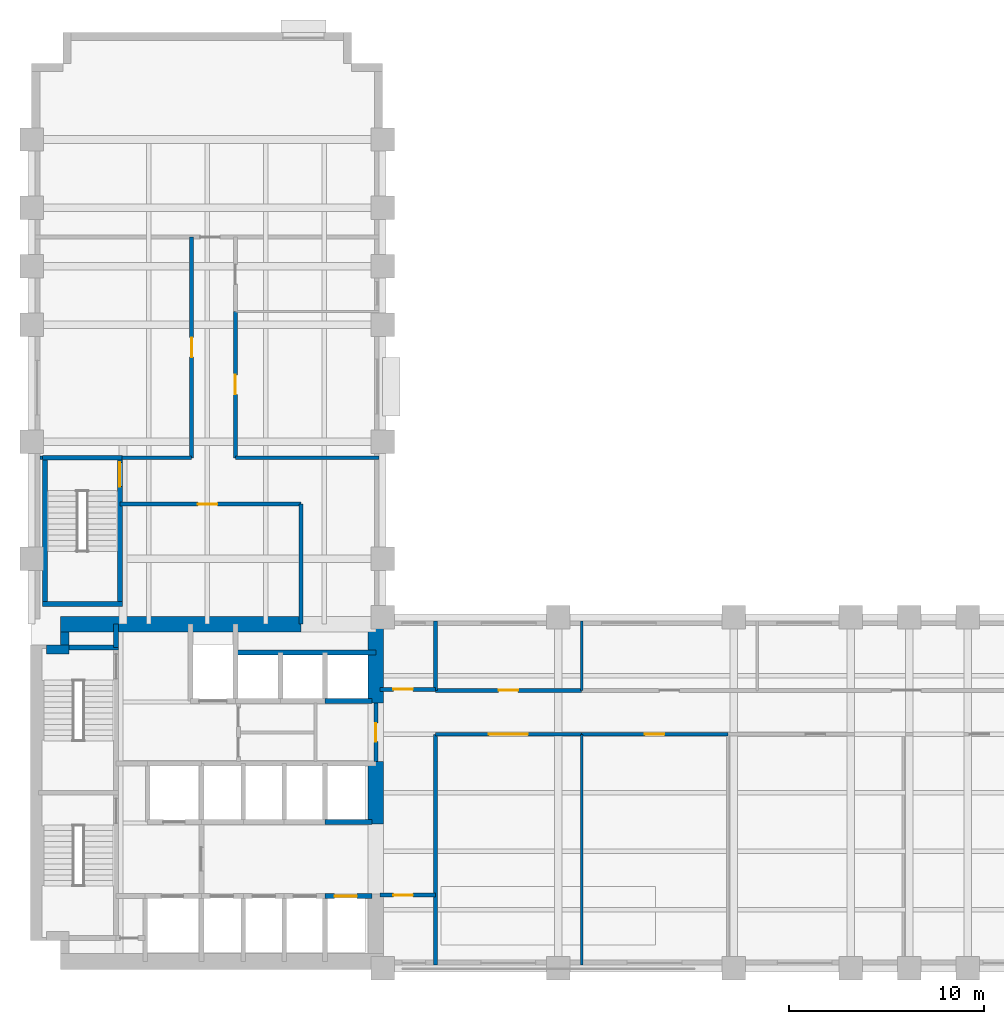
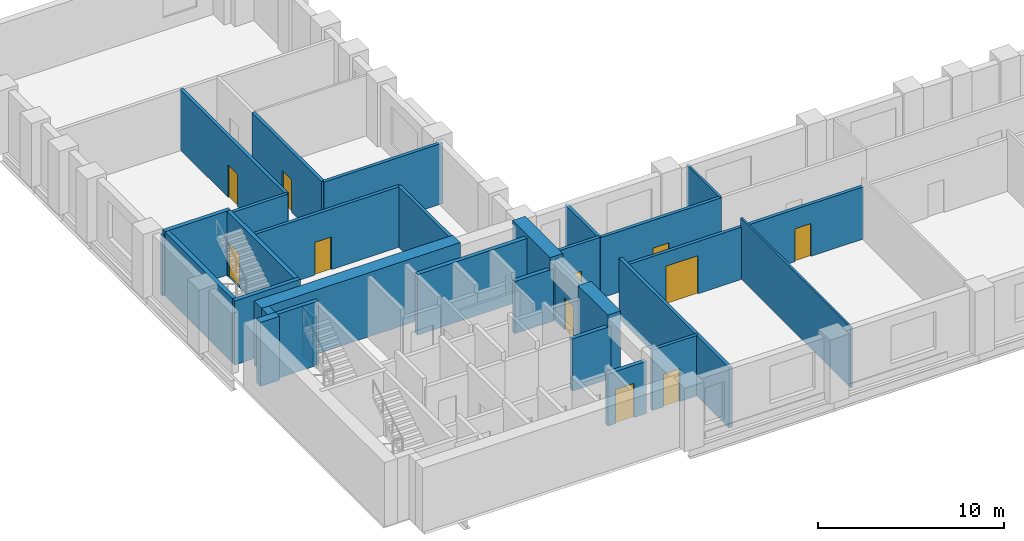
# One storey, part 4 of 8: 32 walls, 11 doors, 11 openings.
"""IFC4 building model written with IfcOpenShell, lengths in metres."""

from ifc_helpers import new_model, si_unit, direction, frame, frame_2d, origin, place, context, subcontext, project, spatial, rectangle, extrude, material, layer, layer_set, type_object, element, fill, save


model = new_model("IFC4")

# Units and contexts
model_context = context("Model", 3, precision=1e-05, world=origin(), true_north=direction((0.0, 1.0)))
body_context = subcontext(model_context, "Body", "Model", "MODEL_VIEW")
ifc_project = project(units=[si_unit("LENGTHUNIT", "METRE"), si_unit("AREAUNIT", "SQUARE_METRE"), si_unit("VOLUMEUNIT", "CUBIC_METRE"), si_unit("PLANEANGLEUNIT", "RADIAN"), si_unit("MASSUNIT", "GRAM", prefix="KILO")], contexts=[model_context])

# Site, building, storey
site_placement = place(None, origin())
site = spatial("IfcSite", under=ifc_project, at=site_placement, CompositionType="ELEMENT")
building_placement = place(site_placement, origin())
building = spatial("IfcBuilding", under=site, at=building_placement, Name="Mawjdan Bourse Tower", CompositionType="ELEMENT")
storey_placement = place(building_placement, frame((0.0, 0.0, 63.60009765625)))
storey = spatial("IfcBuildingStorey", under=building, at=storey_placement, Name="L14", CompositionType="ELEMENT", Elevation=63.60009765625)

# Wall, opening, door
ifc_material_1 = material(Name="Gypsum Fireboard Assembly")
ifc_layer_1 = layer(ifc_material_1, 0.199951171875)
ifc_layer_set_1 = layer_set([ifc_layer_1], Name="Gypsum Fireboard Assembly")
wall_type_1 = type_object("IfcWallType", Name="WL-CMP-200", PredefinedType="PARTITIONING", material=ifc_layer_set_1)
wall_1_placement = place(storey_placement, frame((23.64990234375, 13.60009765625, 0.0), z_axis=(0.0, 0.0, 1.0), x_axis=(0.0, 1.0, 0.0)))
wall_1 = element("IfcWall", 1, at=wall_1_placement, inside=storey, type_object=wall_type_1, Name="L14 Core Restroom East Enclosing Wall", PredefinedType="PARTITIONING", context=body_context, shape_type="SweptSolid", body=[
    extrude(rectangle(XDim=3.0, YDim=0.199951171875, at=frame_2d((1.5, 0.0))), origin(), (0.0, 0.0, 1.0), 3.969970703125),
])
opening_1_placement = place(wall_1_placement, frame((1.02001953125, 0.0, 0.0)))
opening_1 = element("IfcOpeningElement", 2, at=opening_1_placement, cuts=wall_1, Name="Opening D-L14-16", PredefinedType="OPENING", context=body_context, shape_type="SweptSolid", body=[
    extrude(rectangle(XDim=0.949951171875, YDim=2.10009765625, at=frame_2d((0.47509765625, 1.050048828125))), frame((0.0, 0.10986328125, 0.0), z_axis=(0.0, -1.0, 0.0), x_axis=(1.0, 0.0, 0.0)), (0.0, 0.0, 1.0), 0.219970703125),
])
ifc_material_2 = material(Name="Moisture-Resistant Laminate Timber", Category="wood")
door_type_1 = type_object("IfcDoorType", Name="DR-WET-0950", OperationType="NOTDEFINED", PredefinedType="DOOR", material=ifc_material_2)
door_1_placement = place(opening_1_placement, origin())
door_1 = element("IfcDoor", 3, at=door_1_placement, inside=storey, type_object=door_type_1, Name="L14 Female Restroom East Entry Door D-L14-16", OperationType="SINGLE_SWING_LEFT", OverallHeight=2.10009765625, OverallWidth=0.949951171875, PredefinedType="DOOR", context=body_context, shape_type="SweptSolid", body=[
    extrude(rectangle(XDim=0.949951171875, YDim=2.10009765625, at=frame_2d((0.47509765625, 1.050048828125))), frame((0.0, 0.02490234375, 0.0), z_axis=(0.0, -1.0, 0.0), x_axis=(1.0, 0.0, 0.0)), (0.0, 0.0, 1.0), 0.050048828125),
])
fill(opening_1, door_1)

wall_2_placement = place(storey_placement, frame((23.85009765625, 6.75, 0.0), z_axis=(0.0, 0.0, 1.0), x_axis=(1.0, 0.0, 0.0)))
wall_2 = element("IfcWall", 4, at=wall_2_placement, inside=storey, type_object=wall_type_1, Name="L14 West Pocket North Wall", PredefinedType="PARTITIONING", context=body_context, shape_type="SweptSolid", body=[
    extrude(rectangle(XDim=2.849853515625, YDim=0.199951171875, at=frame_2d((1.4248046875, 0.0))), origin(), (0.0, 0.0, 1.0), 3.969970703125),
])
opening_2_placement = place(wall_2_placement, frame((0.699951171875, 0.0, 0.0)))
opening_2 = element("IfcOpeningElement", 5, at=opening_2_placement, cuts=wall_2, Name="Opening D-L14-18", PredefinedType="OPENING", context=body_context, shape_type="SweptSolid", body=[
    extrude(rectangle(XDim=1.0, YDim=2.14990234375, at=frame_2d((0.5, 1.074951171875))), frame((0.0, 0.10986328125, 0.0), z_axis=(0.0, -1.0, 0.0), x_axis=(1.0, 0.0, 0.0)), (0.0, 0.0, 1.0), 0.219970703125),
])
ifc_material_3 = material(Name="Hardwood Acoustic Leaf", Category="wood")
door_type_2 = type_object("IfcDoorType", Name="DR-OFC-1000", OperationType="NOTDEFINED", PredefinedType="DOOR", material=ifc_material_3)
door_2_placement = place(opening_2_placement, origin())
door_2 = element("IfcDoor", 6, at=door_2_placement, inside=storey, type_object=door_type_2, Name="L14 West Pocket Office Door D-L14-18", OperationType="SINGLE_SWING_LEFT", OverallHeight=2.14990234375, OverallWidth=1.0, PredefinedType="DOOR", context=body_context, shape_type="SweptSolid", body=[
    extrude(rectangle(XDim=1.0, YDim=2.14990234375, at=frame_2d((0.5, 1.074951171875))), frame((0.0, 0.02490234375, 0.0), z_axis=(0.0, -1.0, 0.0), x_axis=(1.0, 0.0, 0.0)), (0.0, 0.0, 1.0), 0.050048828125),
])
fill(opening_2, door_2)

wall_3_placement = place(storey_placement, frame((23.85009765625, 17.300048828125, 0.0), z_axis=(0.0, 0.0, 1.0), x_axis=(1.0, 0.0, 0.0)))
wall_3 = element("IfcWall", 7, at=wall_3_placement, inside=storey, type_object=wall_type_1, Name="L14 West North Pocket Wall", PredefinedType="PARTITIONING", context=body_context, shape_type="SweptSolid", body=[
    extrude(rectangle(XDim=2.849853515625, YDim=0.199951171875, at=frame_2d((1.4248046875, 0.0))), origin(), (0.0, 0.0, 1.0), 3.969970703125),
])
opening_3_placement = place(wall_3_placement, frame((0.699951171875, 0.0, 0.0)))
opening_3 = element("IfcOpeningElement", 8, at=opening_3_placement, cuts=wall_3, Name="Opening D-L14-19", PredefinedType="OPENING", context=body_context, shape_type="SweptSolid", body=[
    extrude(rectangle(XDim=1.0, YDim=2.14990234375, at=frame_2d((0.5, 1.074951171875))), frame((0.0, 0.10986328125, 0.0), z_axis=(0.0, -1.0, 0.0), x_axis=(1.0, 0.0, 0.0)), (0.0, 0.0, 1.0), 0.219970703125),
])
door_3_placement = place(opening_3_placement, origin())
door_3 = element("IfcDoor", 9, at=door_3_placement, inside=storey, type_object=door_type_2, Name="L14 West North Pocket Door D-L14-19", OperationType="SINGLE_SWING_RIGHT", OverallHeight=2.14990234375, OverallWidth=1.0, PredefinedType="DOOR", context=body_context, shape_type="SweptSolid", body=[
    extrude(rectangle(XDim=1.0, YDim=2.14990234375, at=frame_2d((0.5, 1.074951171875))), frame((0.0, 0.02490234375, 0.0), z_axis=(0.0, -1.0, 0.0), x_axis=(1.0, 0.0, 0.0)), (0.0, 0.0, 1.0), 0.050048828125),
])
fill(opening_3, door_3)

# Walls
wall_4_placement = place(storey_placement, frame((26.699951171875, 3.179931640625, 0.0), z_axis=(0.0, 0.0, 1.0), x_axis=(0.0, 1.0, 0.0)))
element("IfcWall", 10, at=wall_4_placement, inside=storey, type_object=wall_type_1, Name="L14 Vestibule South East Wall", PredefinedType="PARTITIONING", context=body_context, shape_type="SweptSolid", body=[
    extrude(rectangle(XDim=11.820068359375, YDim=0.199951171875, at=frame_2d((5.91015625, 0.0))), origin(), (0.0, 0.0, 1.0), 3.969970703125),
])
wall_5_placement = place(storey_placement, frame((26.699951171875, 17.25, 0.0), z_axis=(0.0, 0.0, 1.0), x_axis=(0.0, 1.0, 0.0)))
element("IfcWall", 11, at=wall_5_placement, inside=storey, type_object=wall_type_1, Name="L14 Vestibule North East Wall", PredefinedType="PARTITIONING", context=body_context, shape_type="SweptSolid", body=[
    extrude(rectangle(XDim=3.570068359375, YDim=0.199951171875, at=frame_2d((1.78515625, 0.0))), origin(), (0.0, 0.0, 1.0), 3.969970703125),
])

# Wall, opening, door
wall_6_placement = place(storey_placement, frame((26.699951171875, 15.0, 0.0), z_axis=(0.0, 0.0, 1.0), x_axis=(1.0, 0.0, 0.0)))
wall_6 = element("IfcWall", 12, at=wall_6_placement, inside=storey, type_object=wall_type_1, Name="L14 Trading Floor Corridor Wall", PredefinedType="PARTITIONING", context=body_context, shape_type="SweptSolid", body=[
    extrude(rectangle(XDim=7.5, YDim=0.199951171875, at=frame_2d((3.75, 0.0))), origin(), (0.0, 0.0, 1.0), 3.42578125),
])
opening_4_placement = place(wall_6_placement, frame((2.75, 0.0, 0.0)))
opening_4 = element("IfcOpeningElement", 13, at=opening_4_placement, cuts=wall_6, Name="Opening D-L14-20", PredefinedType="OPENING", context=body_context, shape_type="SweptSolid", body=[
    extrude(rectangle(XDim=2.0, YDim=2.5, at=frame_2d((1.0, 1.25))), frame((0.0, 0.10986328125, 0.0), z_axis=(0.0, -1.0, 0.0), x_axis=(1.0, 0.0, 0.0)), (0.0, 0.0, 1.0), 0.219970703125),
])
ifc_material_4 = material(Name="Acoustic Veneered Timber", Category="wood")
door_type_3 = type_object("IfcDoorType", Name="DR-ASM-2000", OperationType="DOUBLE_DOOR_SINGLE_SWING", PredefinedType="DOOR", material=ifc_material_4)
door_4_placement = place(opening_4_placement, origin())
door_4 = element("IfcDoor", 14, at=door_4_placement, inside=storey, type_object=door_type_3, Name="L14 Trading Floor Door D-L14-20", OperationType="DOUBLE_DOOR_SINGLE_SWING", OverallHeight=2.5, OverallWidth=2.0, PredefinedType="DOOR", context=body_context, shape_type="SweptSolid", body=[
    extrude(rectangle(XDim=2.0, YDim=2.5, at=frame_2d((1.0, 1.25))), frame((0.0, 0.02490234375, 0.0), z_axis=(0.0, -1.0, 0.0), x_axis=(1.0, 0.0, 0.0)), (0.0, 0.0, 1.0), 0.050048828125),
])
fill(opening_4, door_4)

wall_7_placement = place(storey_placement, frame((34.199951171875, 15.0, 0.0), z_axis=(0.0, 0.0, 1.0), x_axis=(1.0, 0.0, 0.0)))
wall_7 = element("IfcWall", 15, at=wall_7_placement, inside=storey, type_object=wall_type_1, Name="L14 Fixed Income Office Corridor Wall", PredefinedType="PARTITIONING", context=body_context, shape_type="SweptSolid", body=[
    extrude(rectangle(XDim=7.5, YDim=0.199951171875, at=frame_2d((3.75, 0.0))), origin(), (0.0, 0.0, 1.0), 3.42578125),
])
opening_5_placement = place(wall_7_placement, frame((3.25, 0.0, 0.0)))
opening_5 = element("IfcOpeningElement", 16, at=opening_5_placement, cuts=wall_7, Name="Opening D-L14-21", PredefinedType="OPENING", context=body_context, shape_type="SweptSolid", body=[
    extrude(rectangle(XDim=1.0, YDim=2.14990234375, at=frame_2d((0.5, 1.074951171875))), frame((0.0, 0.10986328125, 0.0), z_axis=(0.0, -1.0, 0.0), x_axis=(1.0, 0.0, 0.0)), (0.0, 0.0, 1.0), 0.219970703125),
])
door_5_placement = place(opening_5_placement, origin())
door_5 = element("IfcDoor", 17, at=door_5_placement, inside=storey, type_object=door_type_2, Name="L14 Fixed Income Office Door D-L14-21", OperationType="SINGLE_SWING_LEFT", OverallHeight=2.14990234375, OverallWidth=1.0, PredefinedType="DOOR", context=body_context, shape_type="SweptSolid", body=[
    extrude(rectangle(XDim=1.0, YDim=2.14990234375, at=frame_2d((0.5, 1.074951171875))), frame((0.0, 0.02490234375, 0.0), z_axis=(0.0, -1.0, 0.0), x_axis=(1.0, 0.0, 0.0)), (0.0, 0.0, 1.0), 0.050048828125),
])
fill(opening_5, door_5)

wall_8_placement = place(storey_placement, frame((26.699951171875, 17.25, 0.0), z_axis=(0.0, 0.0, 1.0), x_axis=(1.0, 0.0, 0.0)))
wall_8 = element("IfcWall", 18, at=wall_8_placement, inside=storey, type_object=wall_type_1, Name="L14 Executive Office Corridor Wall", PredefinedType="PARTITIONING", context=body_context, shape_type="SweptSolid", body=[
    extrude(rectangle(XDim=7.5, YDim=0.199951171875, at=frame_2d((3.75, 0.0))), origin(), (0.0, 0.0, 1.0), 3.969970703125),
])
opening_6_placement = place(wall_8_placement, frame((3.25, 0.0, 0.0)))
opening_6 = element("IfcOpeningElement", 19, at=opening_6_placement, cuts=wall_8, Name="Opening D-L14-24", PredefinedType="OPENING", context=body_context, shape_type="SweptSolid", body=[
    extrude(rectangle(XDim=1.0, YDim=2.14990234375, at=frame_2d((0.5, 1.074951171875))), frame((0.0, 0.10986328125, 0.0), z_axis=(0.0, -1.0, 0.0), x_axis=(1.0, 0.0, 0.0)), (0.0, 0.0, 1.0), 0.219970703125),
])
door_6_placement = place(opening_6_placement, origin())
door_6 = element("IfcDoor", 20, at=door_6_placement, inside=storey, type_object=door_type_2, Name="L14 Executive Office Door D-L14-24", OperationType="SINGLE_SWING_RIGHT", OverallHeight=2.14990234375, OverallWidth=1.0, PredefinedType="DOOR", context=body_context, shape_type="SweptSolid", body=[
    extrude(rectangle(XDim=1.0, YDim=2.14990234375, at=frame_2d((0.5, 1.074951171875))), frame((0.0, 0.02490234375, 0.0), z_axis=(0.0, -1.0, 0.0), x_axis=(1.0, 0.0, 0.0)), (0.0, 0.0, 1.0), 0.050048828125),
])
fill(opening_6, door_6)

wall_9_placement = place(storey_placement, frame((10.52001953125, 26.800048828125, 0.0), z_axis=(0.0, 0.0, 1.0), x_axis=(1.0, 0.0, 0.0)))
wall_9 = element("IfcWall", 21, at=wall_9_placement, inside=storey, type_object=wall_type_1, Name="L14 North Throat North Wall", PredefinedType="PARTITIONING", context=body_context, shape_type="SweptSolid", body=[
    extrude(rectangle(XDim=9.280029296875, YDim=0.199951171875, at=frame_2d((4.64013671875, 0.0))), origin(), (0.0, 0.0, 1.0), 3.969970703125),
])
opening_7_placement = place(wall_9_placement, frame((4.0, 0.0, 0.0)))
opening_7 = element("IfcOpeningElement", 22, at=opening_7_placement, cuts=wall_9, Name="Opening D-L14-28", PredefinedType="OPENING", context=body_context, shape_type="SweptSolid", body=[
    extrude(rectangle(XDim=1.0, YDim=2.14990234375, at=frame_2d((0.5, 1.074951171875))), frame((0.0, 0.10986328125, 0.0), z_axis=(0.0, -1.0, 0.0), x_axis=(1.0, 0.0, 0.0)), (0.0, 0.0, 1.0), 0.219970703125),
])
door_7_placement = place(opening_7_placement, origin())
door_7 = element("IfcDoor", 23, at=door_7_placement, inside=storey, type_object=door_type_2, Name="L14 North Throat Suite Door D-L14-28", OperationType="SINGLE_SWING_LEFT", OverallHeight=2.14990234375, OverallWidth=1.0, PredefinedType="DOOR", context=body_context, shape_type="SweptSolid", body=[
    extrude(rectangle(XDim=1.0, YDim=2.14990234375, at=frame_2d((0.5, 1.074951171875))), frame((0.0, 0.02490234375, 0.0), z_axis=(0.0, -1.0, 0.0), x_axis=(1.0, 0.0, 0.0)), (0.0, 0.0, 1.0), 0.050048828125),
])
fill(opening_7, door_7)

# Walls
wall_10_placement = place(storey_placement, frame((19.800048828125, 20.64990234375, 0.0), z_axis=(0.0, 0.0, 1.0), x_axis=(0.0, 1.0, 0.0)))
element("IfcWall", 24, at=wall_10_placement, inside=storey, type_object=wall_type_1, Name="L14 North Throat East Wall", PredefinedType="PARTITIONING", context=body_context, shape_type="SweptSolid", body=[
    extrude(rectangle(XDim=6.150146484375, YDim=0.199951171875, at=frame_2d((3.0751953125, 0.0))), origin(), (0.0, 0.0, 1.0), 3.969970703125),
])
wall_11_placement = place(storey_placement, frame((6.419921875, 29.179931640625, 0.0), z_axis=(0.0, 0.0, 1.0), x_axis=(1.0, 0.0, 0.0)))
element("IfcWall", 25, at=wall_11_placement, inside=storey, type_object=wall_type_1, Name="L14 North West Band ST3 West Return", PredefinedType="PARTITIONING", context=body_context, shape_type="SweptSolid", body=[
    extrude(rectangle(XDim=0.135009765625, YDim=0.199951171875, at=frame_2d((0.0673828125, 0.0))), origin(), (0.0, 0.0, 1.0), 3.969970703125),
])
wall_12_placement = place(storey_placement, frame((10.6298828125, 29.179931640625, 0.0), z_axis=(0.0, 0.0, 1.0), x_axis=(1.0, 0.0, 0.0)))
element("IfcWall", 26, at=wall_12_placement, inside=storey, type_object=wall_type_1, Name="L14 North West Band South Wall", PredefinedType="PARTITIONING", context=body_context, shape_type="SweptSolid", body=[
    extrude(rectangle(XDim=3.570068359375, YDim=0.199951171875, at=frame_2d((1.78515625, 0.0))), origin(), (0.0, 0.0, 1.0), 3.969970703125),
])
wall_13_placement = place(storey_placement, frame((16.449951171875, 29.179931640625, 0.0), z_axis=(0.0, 0.0, 1.0), x_axis=(1.0, 0.0, 0.0)))
element("IfcWall", 27, at=wall_13_placement, inside=storey, type_object=wall_type_1, Name="L14 North East Band South Wall", PredefinedType="PARTITIONING", context=body_context, shape_type="SweptSolid", body=[
    extrude(rectangle(XDim=7.3701171875, YDim=0.199951171875, at=frame_2d((3.68505859375, 0.0))), origin(), (0.0, 0.0, 1.0), 3.969970703125),
])

# Wall, opening, door
wall_14_placement = place(storey_placement, frame((14.199951171875, 29.179931640625, 0.0), z_axis=(0.0, 0.0, 1.0), x_axis=(0.0, 1.0, 0.0)))
wall_14 = element("IfcWall", 28, at=wall_14_placement, inside=storey, type_object=wall_type_1, Name="L14 Fixed Income Office Corridor Wall", PredefinedType="PARTITIONING", context=body_context, shape_type="SweptSolid", body=[
    extrude(rectangle(XDim=11.320068359375, YDim=0.199951171875, at=frame_2d((5.66015625, 0.0))), origin(), (0.0, 0.0, 1.0), 3.969970703125),
])
opening_8_placement = place(wall_14_placement, frame((5.159912109375, 0.0, 0.0)))
opening_8 = element("IfcOpeningElement", 29, at=opening_8_placement, cuts=wall_14, Name="Opening D-L14-29", PredefinedType="OPENING", context=body_context, shape_type="SweptSolid", body=[
    extrude(rectangle(XDim=1.0, YDim=2.14990234375, at=frame_2d((0.5, 1.074951171875))), frame((0.0, 0.10986328125, 0.0), z_axis=(0.0, -1.0, 0.0), x_axis=(1.0, 0.0, 0.0)), (0.0, 0.0, 1.0), 0.219970703125),
])
door_8_placement = place(opening_8_placement, origin())
door_8 = element("IfcDoor", 30, at=door_8_placement, inside=storey, type_object=door_type_2, Name="L14 Fixed Income Office Door D-L14-29", OperationType="SINGLE_SWING_RIGHT", OverallHeight=2.14990234375, OverallWidth=1.0, PredefinedType="DOOR", context=body_context, shape_type="SweptSolid", body=[
    extrude(rectangle(XDim=1.0, YDim=2.14990234375, at=frame_2d((0.5, 1.074951171875))), frame((0.0, 0.02490234375, 0.0), z_axis=(0.0, -1.0, 0.0), x_axis=(1.0, 0.0, 0.0)), (0.0, 0.0, 1.0), 0.050048828125),
])
fill(opening_8, door_8)

wall_15_placement = place(storey_placement, frame((16.449951171875, 29.179931640625, 0.0), z_axis=(0.0, 0.0, 1.0), x_axis=(0.0, 1.0, 0.0)))
wall_15 = element("IfcWall", 31, at=wall_15_placement, inside=storey, type_object=wall_type_1, Name="L14 Training Seminar Room Corridor Wall", PredefinedType="PARTITIONING", context=body_context, shape_type="SweptSolid", body=[
    extrude(rectangle(XDim=7.5, YDim=0.199951171875, at=frame_2d((3.75, 0.0))), origin(), (0.0, 0.0, 1.0), 3.969970703125),
])
opening_9_placement = place(wall_15_placement, frame((3.25, 0.0, 0.0)))
opening_9 = element("IfcOpeningElement", 32, at=opening_9_placement, cuts=wall_15, Name="Opening D-L14-30", PredefinedType="OPENING", context=body_context, shape_type="SweptSolid", body=[
    extrude(rectangle(XDim=1.0, YDim=2.14990234375, at=frame_2d((0.5, 1.074951171875))), frame((0.0, 0.10986328125, 0.0), z_axis=(0.0, -1.0, 0.0), x_axis=(1.0, 0.0, 0.0)), (0.0, 0.0, 1.0), 0.219970703125),
])
door_9_placement = place(opening_9_placement, origin())
door_9 = element("IfcDoor", 33, at=door_9_placement, inside=storey, type_object=door_type_2, Name="L14 Training Seminar Room Door D-L14-30", OperationType="SINGLE_SWING_LEFT", OverallHeight=2.14990234375, OverallWidth=1.0, PredefinedType="DOOR", context=body_context, shape_type="SweptSolid", body=[
    extrude(rectangle(XDim=1.0, YDim=2.14990234375, at=frame_2d((0.5, 1.074951171875))), frame((0.0, 0.02490234375, 0.0), z_axis=(0.0, -1.0, 0.0), x_axis=(1.0, 0.0, 0.0)), (0.0, 0.0, 1.0), 0.050048828125),
])
fill(opening_9, door_9)

# Walls
ifc_material_5 = material(Name="Concrete C60/75", Category="concrete")
ifc_layer_2 = layer(ifc_material_5, 0.449951171875)
ifc_layer_set_2 = layer_set([ifc_layer_2], Name="Concrete C60/75")
wall_type_2 = type_object("IfcWallType", Name="WL-CORE-450", PredefinedType="SHEAR", material=ifc_layer_set_2)
wall_16_placement = place(storey_placement, frame((6.75, 19.35009765625, 0.0), z_axis=(0.0, 0.0, 1.0), x_axis=(1.0, 0.0, 0.0)))
element("IfcWall", 34, at=wall_16_placement, inside=storey, type_object=wall_type_2, Name="L14 Rear Core Shear Wall NW-X", PredefinedType="SHEAR", context=body_context, shape_type="SweptSolid", body=[
    extrude(rectangle(XDim=1.175048828125, YDim=0.449951171875, at=frame_2d((0.58740234375, 0.0))), origin(), (0.0, 0.0, 1.0), 4.199951171875),
])
wall_17_placement = place(storey_placement, frame((7.699951171875, 19.574951171875, 0.0), z_axis=(0.0, 0.0, 1.0), x_axis=(0.0, 1.0, 0.0)))
element("IfcWall", 35, at=wall_17_placement, inside=storey, type_object=wall_type_2, Name="L14 Rear Core Shear Wall NW-Y", PredefinedType="SHEAR", context=body_context, shape_type="SweptSolid", body=[
    extrude(rectangle(XDim=0.675048828125, YDim=0.449951171875, at=frame_2d((0.33740234375, 0.0))), origin(), (0.0, 0.0, 1.0), 4.199951171875),
])
ifc_material_6 = material(Name="Concrete C80/95", Category="concrete")
ifc_layer_3 = layer(ifc_material_6, 0.800048828125)
ifc_layer_set_3 = layer_set([ifc_layer_3], Name="Concrete C80/95")
wall_type_3 = type_object("IfcWallType", Name="WL-CORE-800", PredefinedType="SHEAR", material=ifc_layer_set_3)
wall_18_placement = place(storey_placement, frame((7.47509765625, 20.64990234375, 0.0), z_axis=(0.0, 0.0, 1.0), x_axis=(1.0, 0.0, 0.0)))
element("IfcWall", 36, at=wall_18_placement, inside=storey, type_object=wall_type_3, Name="L14 Rear Core Shear Wall N", PredefinedType="SHEAR", context=body_context, shape_type="SweptSolid", body=[
    extrude(rectangle(XDim=12.324951171875, YDim=0.800048828125, at=frame_2d((6.16259765625, 0.0))), origin(), (0.0, 0.0, 1.0), 4.199951171875),
])
wall_19_placement = place(storey_placement, frame((23.64990234375, 10.39990234375, 0.0), z_axis=(0.0, 0.0, 1.0), x_axis=(0.0, 1.0, 0.0)))
element("IfcWall", 37, at=wall_19_placement, inside=storey, type_object=wall_type_3, Name="L14 Rear Core Shear Wall E2", PredefinedType="SHEAR", context=body_context, shape_type="SweptSolid", body=[
    extrude(rectangle(XDim=3.2001953125, YDim=0.800048828125, at=frame_2d((1.60009765625, 0.0))), origin(), (0.0, 0.0, 1.0), 4.199951171875),
])
wall_20_placement = place(storey_placement, frame((23.64990234375, 16.60009765625, 0.0), z_axis=(0.0, 0.0, 1.0), x_axis=(0.0, 1.0, 0.0)))
element("IfcWall", 38, at=wall_20_placement, inside=storey, type_object=wall_type_3, Name="L14 Rear Core Shear Wall E3", PredefinedType="SHEAR", context=body_context, shape_type="SweptSolid", body=[
    extrude(rectangle(XDim=4.0498046875, YDim=0.800048828125, at=frame_2d((2.02490234375, 0.0))), origin(), (0.0, 0.0, 1.0), 4.199951171875),
])
ifc_material_7 = material(Name="Gypsum Partition")
ifc_layer_4 = layer(ifc_material_7, 0.125)
ifc_layer_set_4 = layer_set([ifc_layer_4], Name="Gypsum Partition")
wall_type_4 = type_object("IfcWallType", Name="WL-PRT-125", PredefinedType="PARTITIONING", material=ifc_layer_set_4)
wall_21_placement = place(storey_placement, frame((34.199951171875, 3.179931640625, 0.0), z_axis=(0.0, 0.0, 1.0), x_axis=(0.0, 1.0, 0.0)))
element("IfcWall", 39, at=wall_21_placement, inside=storey, type_object=wall_type_4, Name="L14 Fixed Income Office Partition", PredefinedType="PARTITIONING", context=body_context, shape_type="SweptSolid", body=[
    extrude(rectangle(XDim=11.820068359375, YDim=0.125, at=frame_2d((5.91015625, 0.0))), origin(), (0.0, 0.0, 1.0), 3.969970703125),
])
wall_22_placement = place(storey_placement, frame((34.199951171875, 17.25, 0.0), z_axis=(0.0, 0.0, 1.0), x_axis=(0.0, 1.0, 0.0)))
element("IfcWall", 40, at=wall_22_placement, inside=storey, type_object=wall_type_4, Name="L14 Training Seminar Room Partition", PredefinedType="PARTITIONING", context=body_context, shape_type="SweptSolid", body=[
    extrude(rectangle(XDim=3.570068359375, YDim=0.125, at=frame_2d((1.78515625, 0.0))), origin(), (0.0, 0.0, 1.0), 3.969970703125),
])
ifc_material_8 = material(Name="Concrete C50/60", Category="concrete")
ifc_layer_5 = layer(ifc_material_8, 0.25)
ifc_layer_set_5 = layer_set([ifc_layer_5], Name="Concrete C50/60")
wall_type_5 = type_object("IfcWallType", Name="WL-SHFT-250", PredefinedType="PARTITIONING", material=ifc_layer_set_5)
wall_23_placement = place(storey_placement, frame((10.330078125, 19.449951171875, 0.0), z_axis=(0.0, 0.0, 1.0), x_axis=(0.0, 1.0, 0.0)))
element("IfcWall", 41, at=wall_23_placement, inside=storey, type_object=wall_type_5, Name="L14 NW Riser East Wall", PredefinedType="PARTITIONING", context=body_context, shape_type="SweptSolid", body=[
    extrude(rectangle(XDim=1.199951171875, YDim=0.25, at=frame_2d((0.60009765625, 0.0))), origin(), (0.0, 0.0, 1.0), 3.114013671875),
])
wall_24_placement = place(storey_placement, frame((21.050048828125, 16.699951171875, 0.0), z_axis=(0.0, 0.0, 1.0), x_axis=(1.0, 0.0, 0.0)))
element("IfcWall", 42, at=wall_24_placement, inside=storey, type_object=wall_type_5, Name="L14 PH-03 Front Wall", PredefinedType="PARTITIONING", context=body_context, shape_type="SweptSolid", body=[
    extrude(rectangle(XDim=2.39990234375, YDim=0.25, at=frame_2d((1.199951171875, 0.0))), origin(), (0.0, 0.0, 1.0), 3.42578125),
])
wall_25_placement = place(storey_placement, frame((16.449951171875, 19.199951171875, 0.0), z_axis=(0.0, 0.0, 1.0), x_axis=(1.0, 0.0, 0.0)))
element("IfcWall", 43, at=wall_25_placement, inside=storey, type_object=wall_type_5, Name="L14 PH Bank North Shaft Back Wall", PredefinedType="PARTITIONING", context=body_context, shape_type="SweptSolid", body=[
    extrude(rectangle(XDim=7.199951171875, YDim=0.25, at=frame_2d((3.60009765625, 0.0))), origin(), (0.0, 0.0, 1.0), 3.969970703125),
])

# Wall, opening, door
wall_26_placement = place(storey_placement, frame((21.050048828125, 6.699951171875, 0.0), z_axis=(0.0, 0.0, 1.0), x_axis=(1.0, 0.0, 0.0)))
wall_26 = element("IfcWall", 44, at=wall_26_placement, inside=storey, type_object=wall_type_5, Name="L14 PL-03 Front Wall", PredefinedType="PARTITIONING", context=body_context, shape_type="SweptSolid", body=[
    extrude(rectangle(XDim=2.39990234375, YDim=0.25, at=frame_2d((1.199951171875, 0.0))), origin(), (0.0, 0.0, 1.0), 3.42578125),
])
opening_10_placement = place(wall_26_placement, frame((0.47998046875, 0.0, 0.0)))
opening_10 = element("IfcOpeningElement", 45, at=opening_10_placement, cuts=wall_26, Name="Opening LD-L14-13", PredefinedType="OPENING", context=body_context, shape_type="SweptSolid", body=[
    extrude(rectangle(XDim=1.14990234375, YDim=2.25, at=frame_2d((0.574951171875, 1.125))), frame((0.0, 0.135009765625, 0.0), z_axis=(0.0, -1.0, 0.0), x_axis=(1.0, 0.0, 0.0)), (0.0, 0.0, 1.0), 0.27001953125),
])
ifc_material_9 = material(Name="Brushed Stainless Steel", Category="steel")
door_type_4 = type_object("IfcDoorType", Name="LD-PAS-1150", OperationType="DOUBLE_DOOR_SLIDING", PredefinedType="DOOR", material=ifc_material_9)
door_10_placement = place(opening_10_placement, origin())
door_10 = element("IfcDoor", 46, at=door_10_placement, inside=storey, type_object=door_type_4, Name="L14 Lift PL-03 Landing Door LD-L14-13", OperationType="DOUBLE_DOOR_SLIDING", OverallHeight=2.25, OverallWidth=1.14990234375, PredefinedType="DOOR", context=body_context, shape_type="SweptSolid", body=[
    extrude(rectangle(XDim=1.14990234375, YDim=2.25, at=frame_2d((0.574951171875, 1.125))), frame((0.0, 0.02490234375, 0.0), z_axis=(0.0, -1.0, 0.0), x_axis=(1.0, 0.0, 0.0)), (0.0, 0.0, 1.0), 0.050048828125),
])
fill(opening_10, door_10)

# Walls
wall_27_placement = place(storey_placement, frame((21.050048828125, 10.5, 0.0), z_axis=(0.0, 0.0, 1.0), x_axis=(1.0, 0.0, 0.0)))
element("IfcWall", 47, at=wall_27_placement, inside=storey, type_object=wall_type_5, Name="L14 PM-04 Front Wall", PredefinedType="PARTITIONING", context=body_context, shape_type="SweptSolid", body=[
    extrude(rectangle(XDim=2.39990234375, YDim=0.25, at=frame_2d((1.199951171875, 0.0))), origin(), (0.0, 0.0, 1.0), 3.42578125),
])
ifc_layer_6 = layer(ifc_material_8, 0.25)
ifc_layer_set_6 = layer_set([ifc_layer_6], Name="Concrete C50/60")
wall_type_6 = type_object("IfcWallType", Name="WL-STRW-250", PredefinedType="SHEAR", material=ifc_layer_set_6)
wall_28_placement = place(storey_placement, frame((7.699951171875, 19.449951171875, 0.0), z_axis=(0.0, 0.0, 1.0), x_axis=(1.0, 0.0, 0.0)))
element("IfcWall", 48, at=wall_28_placement, inside=storey, type_object=wall_type_6, Name="L14 Stairwell ST2 North Shaft Wall", PredefinedType="SHEAR", context=body_context, shape_type="SweptSolid", body=[
    extrude(rectangle(XDim=2.755126953125, YDim=0.25, at=frame_2d((1.37744140625, 0.0))), origin(), (0.0, 0.0, 1.0), 4.199951171875),
])
for number, where, z_axis, x_axis, name in (
    (49, (6.554931640625, 21.679931640625, 0.0), (0.0, 0.0, 1.0), (1.0, 0.0, 0.0), "L14 ST3 South Shaft Wall"),
    (50, (6.554931640625, 29.179931640625, 0.0), (0.0, 0.0, 1.0), (1.0, 0.0, 0.0), "L14 ST3 North Shaft Wall"),
):
    element("IfcWall", number, at=place(storey_placement, frame(where, z_axis=z_axis, x_axis=x_axis)), inside=storey, type_object=wall_type_6, Name=name, PredefinedType="SHEAR", context=body_context, shape_type="SweptSolid", body=[
        extrude(rectangle(XDim=4.090087890625, YDim=0.25, at=frame_2d((2.044921875, 0.0))), origin(), (0.0, 0.0, 1.0), 4.199951171875),
    ])
wall_29_placement = place(storey_placement, frame((6.679931640625, 21.679931640625, 0.0), z_axis=(0.0, 0.0, 1.0), x_axis=(0.0, 1.0, 0.0)))
element("IfcWall", 51, at=wall_29_placement, inside=storey, type_object=wall_type_6, Name="L14 ST3 West Shaft Wall", PredefinedType="SHEAR", context=body_context, shape_type="SweptSolid", body=[
    extrude(rectangle(XDim=7.5, YDim=0.25, at=frame_2d((3.75, 0.0))), origin(), (0.0, 0.0, 1.0), 4.199951171875),
])

# Wall, opening, door
wall_30_placement = place(storey_placement, frame((10.52001953125, 21.679931640625, 0.0), z_axis=(0.0, 0.0, 1.0), x_axis=(0.0, 1.0, 0.0)))
wall_30 = element("IfcWall", 52, at=wall_30_placement, inside=storey, type_object=wall_type_6, Name="L14 ST3 East Shaft Wall", PredefinedType="SHEAR", context=body_context, shape_type="SweptSolid", body=[
    extrude(rectangle(XDim=7.5, YDim=0.25, at=frame_2d((3.75, 0.0))), origin(), (0.0, 0.0, 1.0), 4.199951171875),
])
opening_11_placement = place(wall_30_placement, frame((6.02001953125, 0.0, 0.0)))
opening_11 = element("IfcOpeningElement", 53, at=opening_11_placement, cuts=wall_30, Name="Opening SD-L14-17", PredefinedType="OPENING", context=body_context, shape_type="SweptSolid", body=[
    extrude(rectangle(XDim=1.25, YDim=2.199951171875, at=frame_2d((0.625, 1.10009765625))), frame((0.0, 0.135009765625, 0.0), z_axis=(0.0, -1.0, 0.0), x_axis=(1.0, 0.0, 0.0)), (0.0, 0.0, 1.0), 0.27001953125),
])
ifc_material_10 = material(Name="Fire-Rated Steel Leaf", Category="steel")
door_type_5 = type_object("IfcDoorType", Name="FD-ST-1250", OperationType="NOTDEFINED", PredefinedType="DOOR", material=ifc_material_10)
door_11_placement = place(opening_11_placement, origin())
door_11 = element("IfcDoor", 54, at=door_11_placement, inside=storey, type_object=door_type_5, Name="L14 Stair ST3 Fire Door SD-L14-17", OperationType="SINGLE_SWING_RIGHT", OverallHeight=2.199951171875, OverallWidth=1.25, PredefinedType="DOOR", context=body_context, shape_type="SweptSolid", body=[
    extrude(rectangle(XDim=1.25, YDim=2.199951171875, at=frame_2d((0.625, 1.10009765625))), frame((0.0, 0.02490234375, 0.0), z_axis=(0.0, -1.0, 0.0), x_axis=(1.0, 0.0, 0.0)), (0.0, 0.0, 1.0), 0.050048828125),
])
fill(opening_11, door_11)

save(model, "model.ifc")
